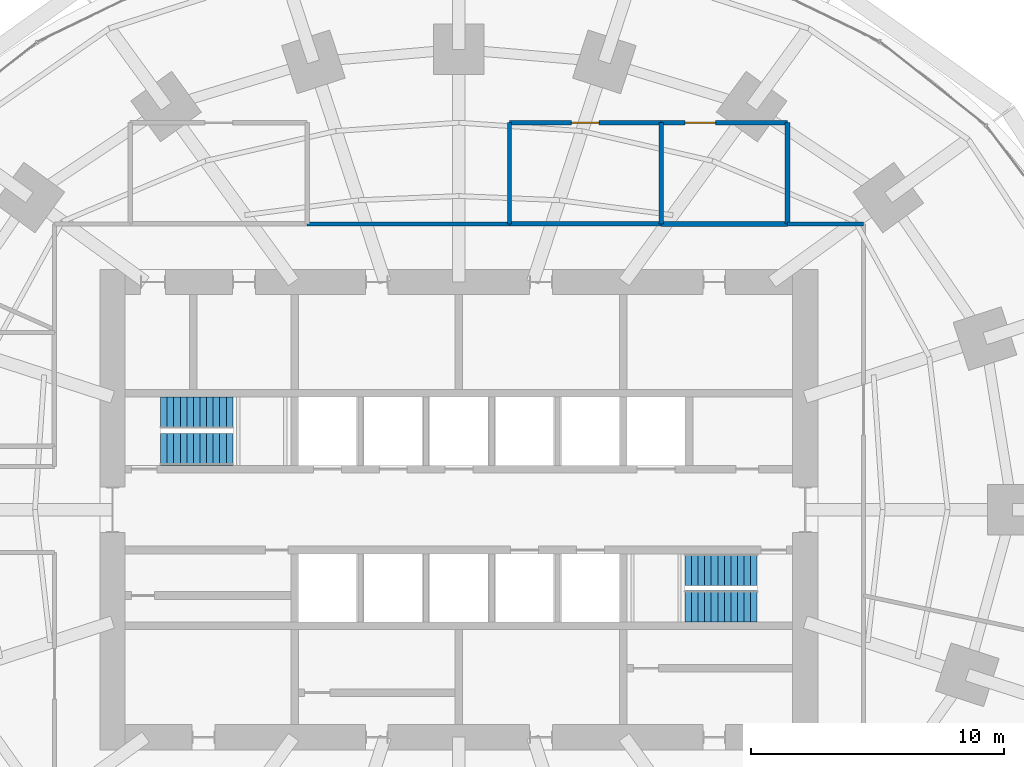
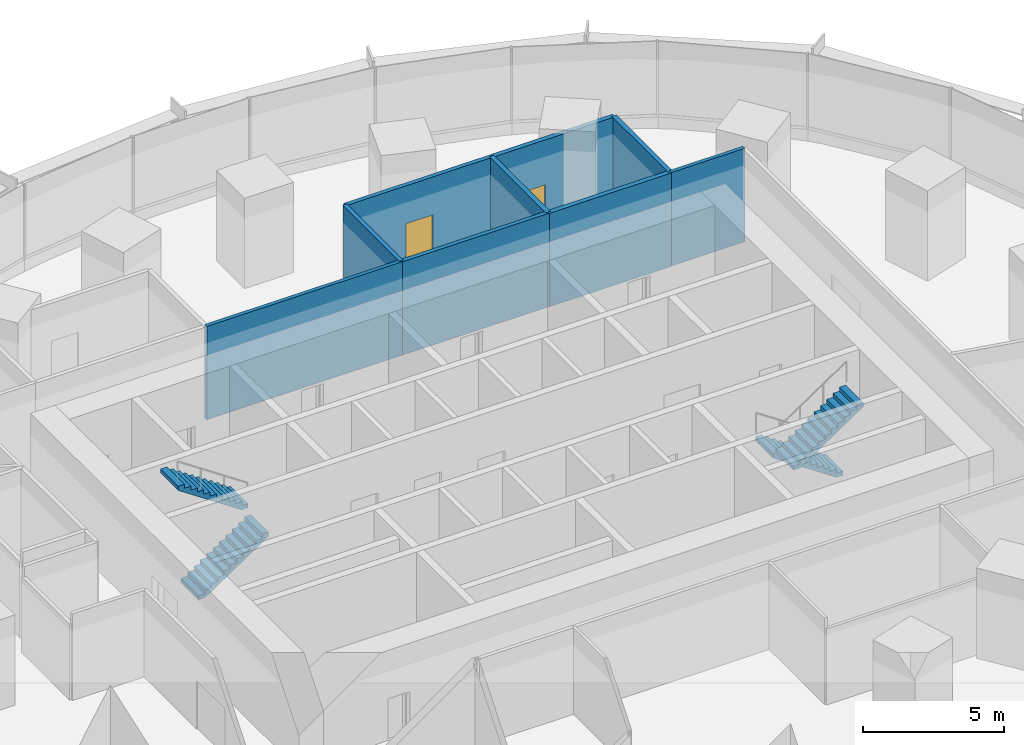
# One storey, part 13 of 15: 9 walls, 4 stair flights, 2 doors, 2 openings, 2 elements without a shape of their own.
"""IFC4 building model written with IfcOpenShell, lengths in metres."""

from ifc_helpers import new_model, si_unit, direction, frame, frame_2d, origin, place, context, subcontext, project, spatial, polyline, rectangle, outline, extrude, material, layer, layer_set, type_object, element, fill, aggregate, save


model = new_model("IFC4")

# Units and contexts
model_context = context("Model", 3, precision=1e-05, world=origin(), true_north=direction((0.0, 1.0)))
body_context = subcontext(model_context, "Body", "Model", "MODEL_VIEW")
ifc_project = project(units=[si_unit("LENGTHUNIT", "METRE"), si_unit("AREAUNIT", "SQUARE_METRE"), si_unit("VOLUMEUNIT", "CUBIC_METRE"), si_unit("PLANEANGLEUNIT", "RADIAN"), si_unit("MASSUNIT", "GRAM", prefix="KILO")], contexts=[model_context])

# Site, building, storey
site_placement = place(None, origin())
site = spatial("IfcSite", under=ifc_project, at=site_placement, CompositionType="ELEMENT")
building_placement = place(site_placement, origin())
building = spatial("IfcBuilding", under=site, at=building_placement, Name="Marramba Exchange Tower", CompositionType="ELEMENT")
storey_placement = place(building_placement, frame((0.0, 0.0, 36.39990234375)))
storey = spatial("IfcBuildingStorey", under=building, at=storey_placement, Name="L08", CompositionType="ELEMENT", Elevation=36.39990234375)

# Wall
ifc_material_1 = material(Name="Plasterboard on staggered double steel studs, acoustic insulation", Category="steel")
ifc_layer_1 = layer(ifc_material_1, 0.169921875)
ifc_layer_set_1 = layer_set([ifc_layer_1], Name="Acoustic partition 170")
wall_type_1 = type_object("IfcWallType", Name="Acoustic partition 170", PredefinedType="PARTITIONING", material=ifc_layer_set_1)
wall_1_placement = place(storey_placement, frame((2.0, 11.300048828125, 0.0), z_axis=(0.0, 0.0, 1.0), x_axis=(1.0, 0.0, 0.0)))
element("IfcWall", 1, at=wall_1_placement, inside=storey, type_object=wall_type_1, Name="Acoustic partition L08 21", PredefinedType="PARTITIONING", context=body_context, shape_type="SweptSolid", body=[
    extrude(rectangle(XDim=6.0, YDim=0.169921875, at=frame_2d((3.0, 0.0))), origin(), (0.0, 0.0, 1.0), 4.0400390625),
])

# Wall, opening, door
wall_2_placement = place(storey_placement, frame((8.0, 15.300048828125, 0.0), z_axis=(0.0, 0.0, 1.0), x_axis=(-1.0, 0.0, 0.0)))
wall_2 = element("IfcWall", 2, at=wall_2_placement, inside=storey, type_object=wall_type_1, Name="Acoustic partition L08 22", PredefinedType="PARTITIONING", context=body_context, shape_type="SweptSolid", body=[
    extrude(rectangle(XDim=6.0, YDim=0.169921875, at=frame_2d((3.0, 0.0))), origin(), (0.0, 0.0, 1.0), 4.0400390625),
])
opening_1_placement = place(wall_2_placement, frame((2.449951171875, 0.0, 0.0)))
opening_1 = element("IfcOpeningElement", 3, at=opening_1_placement, cuts=wall_2, Name="Opening D15", PredefinedType="OPENING", context=body_context, shape_type="SweptSolid", body=[
    extrude(rectangle(XDim=1.10009765625, YDim=2.39990234375, at=frame_2d((0.550048828125, 1.199951171875))), frame((0.0, 0.094970703125, 0.0), z_axis=(0.0, -1.0, 0.0), x_axis=(1.0, 0.0, 0.0)), (0.0, 0.0, 1.0), 0.18994140625),
])
ifc_material_2 = material(Name="Timber door", Category="wood")
door_type_1 = type_object("IfcDoorType", Name="Glazed meeting room door 1100x2400", OperationType="SINGLE_SWING_LEFT", PredefinedType="DOOR", material=ifc_material_2)
door_1_placement = place(opening_1_placement, origin())
door_1 = element("IfcDoor", 4, at=door_1_placement, inside=storey, type_object=door_type_1, Name="D15 Meeting Room 1 L08", OperationType="SINGLE_SWING_RIGHT", OverallHeight=2.39990234375, OverallWidth=1.10009765625, PredefinedType="DOOR", context=body_context, shape_type="SweptSolid", body=[
    extrude(rectangle(XDim=1.10009765625, YDim=2.39990234375, at=frame_2d((0.550048828125, 1.199951171875))), frame((0.0, 0.02490234375, 0.0), z_axis=(0.0, -1.0, 0.0), x_axis=(1.0, 0.0, 0.0)), (0.0, 0.0, 1.0), 0.050048828125),
])
fill(opening_1, door_1)

# Walls
wall_3_placement = place(storey_placement, frame((2.0, 15.300048828125, 0.0), z_axis=(0.0, 0.0, 1.0), x_axis=(0.0, -1.0, 0.0)))
element("IfcWall", 5, at=wall_3_placement, inside=storey, type_object=wall_type_1, Name="Acoustic partition L08 23", PredefinedType="PARTITIONING", context=body_context, shape_type="SweptSolid", body=[
    extrude(rectangle(XDim=4.0, YDim=0.169921875, at=frame_2d((2.0, 0.0))), origin(), (0.0, 0.0, 1.0), 4.0400390625),
])
ifc_material_3 = material(Name="Core-filled concrete blockwork, rendered", Category="masonry")
ifc_layer_2 = layer(ifc_material_3, 0.18994140625)
ifc_layer_set_2 = layer_set([ifc_layer_2], Name="Equipment room wall 190")
wall_type_2 = type_object("IfcWallType", Name="Equipment room wall 190", PredefinedType="SOLIDWALL", material=ifc_layer_set_2)
wall_4_placement = place(storey_placement, frame((13.0, 11.300048828125, 0.0), z_axis=(0.0, 0.0, 1.0), x_axis=(0.0, 1.0, 0.0)))
element("IfcWall", 6, at=wall_4_placement, inside=storey, type_object=wall_type_2, Name="Equipment room wall L08 17", PredefinedType="SOLIDWALL", context=body_context, shape_type="SweptSolid", body=[
    extrude(rectangle(XDim=4.0, YDim=0.18994140625, at=frame_2d((2.0, 0.0))), origin(), (0.0, 0.0, 1.0), 4.0400390625),
])
wall_5_placement = place(storey_placement, frame((8.0, 11.300048828125, 0.0), z_axis=(0.0, 0.0, 1.0), x_axis=(1.0, 0.0, 0.0)))
element("IfcWall", 7, at=wall_5_placement, inside=storey, type_object=wall_type_2, Name="Equipment room wall L08 18", PredefinedType="SOLIDWALL", context=body_context, shape_type="SweptSolid", body=[
    extrude(rectangle(XDim=5.0, YDim=0.18994140625, at=frame_2d((2.5, 0.0))), origin(), (0.0, 0.0, 1.0), 4.0400390625),
])

# Wall, opening, door
wall_6_placement = place(storey_placement, frame((13.0, 15.300048828125, 0.0), z_axis=(0.0, 0.0, 1.0), x_axis=(-1.0, 0.0, 0.0)))
wall_6 = element("IfcWall", 8, at=wall_6_placement, inside=storey, type_object=wall_type_2, Name="Equipment room wall L08 19", PredefinedType="SOLIDWALL", context=body_context, shape_type="SweptSolid", body=[
    extrude(rectangle(XDim=5.0, YDim=0.18994140625, at=frame_2d((2.5, 0.0))), origin(), (0.0, 0.0, 1.0), 4.0400390625),
])
opening_2_placement = place(wall_6_placement, frame((2.85009765625, 0.0, 0.0)))
opening_2 = element("IfcOpeningElement", 9, at=opening_2_placement, cuts=wall_6, Name="Opening D16", PredefinedType="OPENING", context=body_context, shape_type="SweptSolid", body=[
    extrude(rectangle(XDim=1.199951171875, YDim=2.10009765625, at=frame_2d((0.60009765625, 1.050048828125))), frame((0.0, 0.10498046875, 0.0), z_axis=(0.0, -1.0, 0.0), x_axis=(1.0, 0.0, 0.0)), (0.0, 0.0, 1.0), 0.2099609375),
])
ifc_material_4 = material(Name="Steel-framed door", Category="steel")
door_type_2 = type_object("IfcDoorType", Name="Equipment room door 1200x2100", OperationType="SINGLE_SWING_LEFT", PredefinedType="DOOR", material=ifc_material_4)
door_2_placement = place(opening_2_placement, origin())
door_2 = element("IfcDoor", 10, at=door_2_placement, inside=storey, type_object=door_type_2, Name="D16 Data Room 1 L08", OperationType="SINGLE_SWING_RIGHT", OverallHeight=2.10009765625, OverallWidth=1.199951171875, PredefinedType="DOOR", context=body_context, shape_type="SweptSolid", body=[
    extrude(rectangle(XDim=1.199951171875, YDim=2.10009765625, at=frame_2d((0.60009765625, 1.050048828125))), frame((0.0, 0.02490234375, 0.0), z_axis=(0.0, -1.0, 0.0), x_axis=(1.0, 0.0, 0.0)), (0.0, 0.0, 1.0), 0.050048828125),
])
fill(opening_2, door_2)

# Walls
wall_7_placement = place(storey_placement, frame((8.0, 15.300048828125, 0.0), z_axis=(0.0, 0.0, 1.0), x_axis=(0.0, -1.0, 0.0)))
element("IfcWall", 11, at=wall_7_placement, inside=storey, type_object=wall_type_2, Name="Equipment room wall L08 20", PredefinedType="SOLIDWALL", context=body_context, shape_type="SweptSolid", body=[
    extrude(rectangle(XDim=4.0, YDim=0.18994140625, at=frame_2d((2.0, 0.0))), origin(), (0.0, 0.0, 1.0), 4.0400390625),
])
ifc_material_5 = material(Name="Fire-rated plasterboard on steel studs, acoustic insulation", Category="steel")
ifc_layer_3 = layer(ifc_material_5, 0.14990234375)
ifc_layer_set_3 = layer_set([ifc_layer_3], Name="Tenancy wall 150")
wall_type_3 = type_object("IfcWallType", Name="Tenancy wall 150", PredefinedType="PARTITIONING", material=ifc_layer_set_3)
wall_8_placement = place(storey_placement, frame((16.0, 11.300048828125, 0.0), z_axis=(0.0, 0.0, 1.0), x_axis=(-1.0, 0.0, 0.0)))
element("IfcWall", 12, at=wall_8_placement, inside=storey, type_object=wall_type_3, Name="Tenancy wall L08 16", PredefinedType="PARTITIONING", context=body_context, shape_type="SweptSolid", body=[
    extrude(rectangle(XDim=3.0, YDim=0.14990234375, at=frame_2d((1.5, 0.0))), origin(), (0.0, 0.0, 1.0), 4.0400390625),
])
wall_9_placement = place(storey_placement, frame((2.0, 11.300048828125, 0.0), z_axis=(0.0, 0.0, 1.0), x_axis=(-1.0, 0.0, 0.0)))
element("IfcWall", 13, at=wall_9_placement, inside=storey, type_object=wall_type_3, Name="Tenancy wall L08 24", PredefinedType="PARTITIONING", context=body_context, shape_type="SweptSolid", body=[
    extrude(rectangle(XDim=8.0, YDim=0.14990234375, at=frame_2d((4.0, 0.0))), origin(), (0.0, 0.0, 1.0), 4.0400390625),
])

# Stair, stair flights
ifc_material_6 = material(Name="Concrete N40 (40 MPa)", Category="concrete")
stair_type_1 = type_object("IfcStairType", Name="Exit stair ST1 4200 x 1250", PredefinedType="HALF_TURN_STAIR", material=ifc_material_6)
stair_1_placement = place(storey_placement, origin())
stair_1 = element("IfcStair", 14, at=stair_1_placement, inside=storey, type_object=stair_type_1, Name="Exit stair ST1 L08", PredefinedType="HALF_TURN_STAIR")
stair_flight_type_1 = type_object("IfcStairFlightType", Name="ST1 stair flight 1750 riser 1250 wide", PredefinedType="STRAIGHT", material=ifc_material_6)
stair_flight_1_placement = place(storey_placement, frame((-11.800048828125, 2.375, 0.0), z_axis=(0.0, 0.0, 1.0), x_axis=(1.0, 0.0, 0.0)))
stair_flight_1 = element("IfcStairFlight", 15, at=stair_flight_1_placement, type_object=stair_flight_type_1, Name="ST1 flight 1", NumberOfRisers=12, NumberOfTreads=11, PredefinedType="STRAIGHT", RiserHeight=0.175, TreadLength=0.26, context=body_context, shape_type="SweptSolid", body=[
    extrude(outline(polyline([(0.0, 0.0), (0.0, 0.175048828125), (0.260009765625, 0.175048828125), (0.260009765625, 0.35009765625), (0.52001953125, 0.35009765625), (0.52001953125, 0.52490234375), (0.780029296875, 0.52490234375), (0.780029296875, 0.699951171875), (1.0400390625, 0.699951171875), (1.0400390625, 0.875), (1.300048828125, 0.875), (1.300048828125, 1.050048828125), (1.56005859375, 1.050048828125), (1.56005859375, 1.22509765625), (1.820068359375, 1.22509765625), (1.820068359375, 1.39990234375), (2.080078125, 1.39990234375), (2.080078125, 1.574951171875), (2.340087890625, 1.574951171875), (2.340087890625, 1.75), (2.60009765625, 1.75), (2.60009765625, 1.925048828125), (2.860107421875, 1.925048828125), (2.860107421875, 2.10009765625), (2.860107421875, 1.744384765625), (0.2685546875, 0.0), (0.0, 0.0)])), frame((0.0, 0.625, 0.0), z_axis=(0.0, -1.0, 0.0), x_axis=(1.0, 0.0, 0.0)), (0.0, 0.0, 1.0), 1.25),
])
stair_flight_2_placement = place(storey_placement, frame((-8.93994140625, 3.824951171875, 2.10009765625), z_axis=(0.0, 0.0, 1.0), x_axis=(-1.0, 0.0, 0.0)))
stair_flight_2 = element("IfcStairFlight", 16, at=stair_flight_2_placement, type_object=stair_flight_type_1, Name="ST1 flight 2", NumberOfRisers=12, NumberOfTreads=11, PredefinedType="STRAIGHT", RiserHeight=0.175, TreadLength=0.26, context=body_context, shape_type="SweptSolid", body=[
    extrude(outline(polyline([(0.0, 0.0), (0.0, 0.175048828125), (0.260009765625, 0.175048828125), (0.260009765625, 0.35009765625), (0.52001953125, 0.35009765625), (0.52001953125, 0.52490234375), (0.780029296875, 0.52490234375), (0.780029296875, 0.699951171875), (1.0400390625, 0.699951171875), (1.0400390625, 0.875), (1.300048828125, 0.875), (1.300048828125, 1.050048828125), (1.56005859375, 1.050048828125), (1.56005859375, 1.22509765625), (1.820068359375, 1.22509765625), (1.820068359375, 1.39990234375), (2.080078125, 1.39990234375), (2.080078125, 1.574951171875), (2.340087890625, 1.574951171875), (2.340087890625, 1.75), (2.60009765625, 1.75), (2.60009765625, 1.925048828125), (2.860107421875, 1.925048828125), (2.860107421875, 2.10009765625), (2.860107421875, 1.744384765625), (0.2685546875, 0.0), (0.0, 0.0)])), frame((0.0, 0.625, 0.0), z_axis=(0.0, -1.0, 0.0), x_axis=(1.0, 0.0, 0.0)), (0.0, 0.0, 1.0), 1.25),
])
aggregate(stair_1, [stair_flight_1, stair_flight_2])

stair_type_2 = type_object("IfcStairType", Name="Exit stair ST2 4200 x 1250", PredefinedType="HALF_TURN_STAIR", material=ifc_material_6)
stair_2_placement = place(storey_placement, origin())
stair_2 = element("IfcStair", 17, at=stair_2_placement, inside=storey, type_object=stair_type_2, Name="Exit stair ST2 L08", PredefinedType="HALF_TURN_STAIR")
stair_flight_type_2 = type_object("IfcStairFlightType", Name="ST2 stair flight 1750 riser 1250 wide", PredefinedType="STRAIGHT", material=ifc_material_6)
stair_flight_3_placement = place(storey_placement, frame((11.800048828125, -2.375, 0.0), z_axis=(0.0, 0.0, 1.0), x_axis=(-1.0, 0.0, 0.0)))
stair_flight_3 = element("IfcStairFlight", 18, at=stair_flight_3_placement, type_object=stair_flight_type_2, Name="ST2 flight 1", NumberOfRisers=12, NumberOfTreads=11, PredefinedType="STRAIGHT", RiserHeight=0.175, TreadLength=0.26, context=body_context, shape_type="SweptSolid", body=[
    extrude(outline(polyline([(0.0, 0.0), (0.0, 0.175048828125), (0.260009765625, 0.175048828125), (0.260009765625, 0.35009765625), (0.52001953125, 0.35009765625), (0.52001953125, 0.52490234375), (0.780029296875, 0.52490234375), (0.780029296875, 0.699951171875), (1.0400390625, 0.699951171875), (1.0400390625, 0.875), (1.300048828125, 0.875), (1.300048828125, 1.050048828125), (1.56005859375, 1.050048828125), (1.56005859375, 1.22509765625), (1.820068359375, 1.22509765625), (1.820068359375, 1.39990234375), (2.080078125, 1.39990234375), (2.080078125, 1.574951171875), (2.340087890625, 1.574951171875), (2.340087890625, 1.75), (2.60009765625, 1.75), (2.60009765625, 1.925048828125), (2.860107421875, 1.925048828125), (2.860107421875, 2.10009765625), (2.860107421875, 1.744384765625), (0.2685546875, 0.0), (0.0, 0.0)])), frame((0.0, 0.625, 0.0), z_axis=(0.0, -1.0, 0.0), x_axis=(1.0, 0.0, 0.0)), (0.0, 0.0, 1.0), 1.25),
])
stair_flight_4_placement = place(storey_placement, frame((8.93994140625, -3.824951171875, 2.10009765625), z_axis=(0.0, 0.0, 1.0), x_axis=(1.0, 0.0, 0.0)))
stair_flight_4 = element("IfcStairFlight", 19, at=stair_flight_4_placement, type_object=stair_flight_type_2, Name="ST2 flight 2", NumberOfRisers=12, NumberOfTreads=11, PredefinedType="STRAIGHT", RiserHeight=0.175, TreadLength=0.26, context=body_context, shape_type="SweptSolid", body=[
    extrude(outline(polyline([(0.0, 0.0), (0.0, 0.175048828125), (0.260009765625, 0.175048828125), (0.260009765625, 0.35009765625), (0.52001953125, 0.35009765625), (0.52001953125, 0.52490234375), (0.780029296875, 0.52490234375), (0.780029296875, 0.699951171875), (1.0400390625, 0.699951171875), (1.0400390625, 0.875), (1.300048828125, 0.875), (1.300048828125, 1.050048828125), (1.56005859375, 1.050048828125), (1.56005859375, 1.22509765625), (1.820068359375, 1.22509765625), (1.820068359375, 1.39990234375), (2.080078125, 1.39990234375), (2.080078125, 1.574951171875), (2.340087890625, 1.574951171875), (2.340087890625, 1.75), (2.60009765625, 1.75), (2.60009765625, 1.925048828125), (2.860107421875, 1.925048828125), (2.860107421875, 2.10009765625), (2.860107421875, 1.744384765625), (0.2685546875, 0.0), (0.0, 0.0)])), frame((0.0, 0.625, 0.0), z_axis=(0.0, -1.0, 0.0), x_axis=(1.0, 0.0, 0.0)), (0.0, 0.0, 1.0), 1.25),
])
aggregate(stair_2, [stair_flight_3, stair_flight_4])

save(model, "model.ifc")
